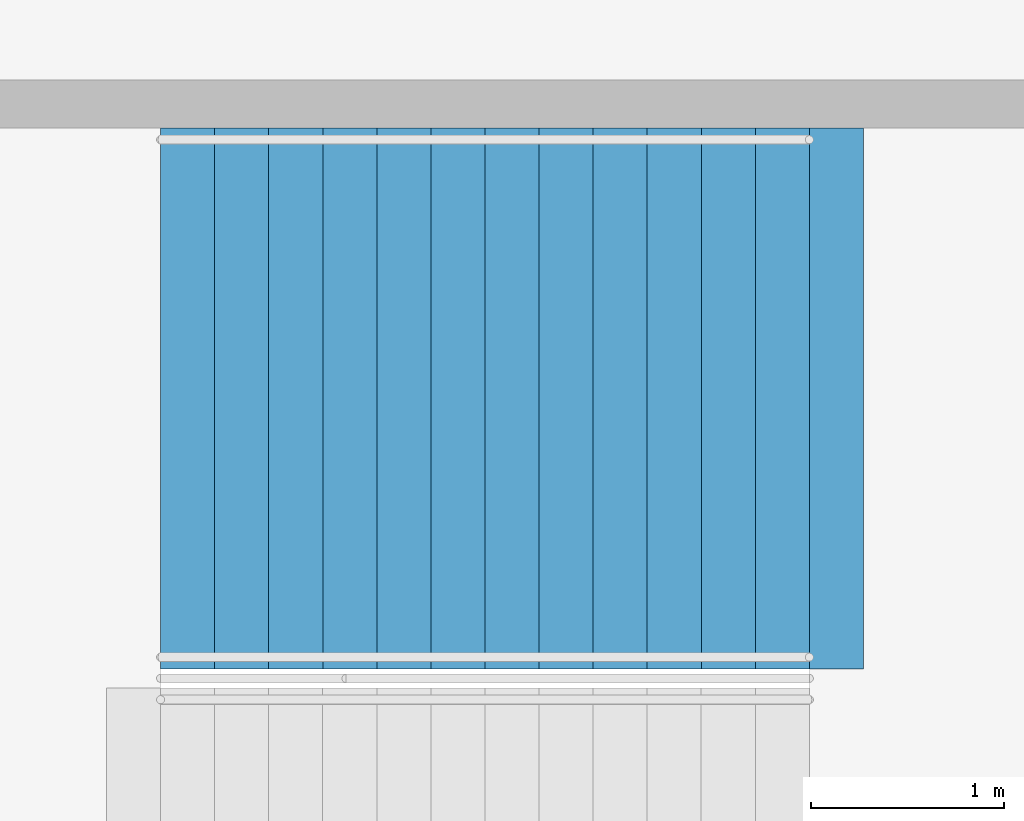
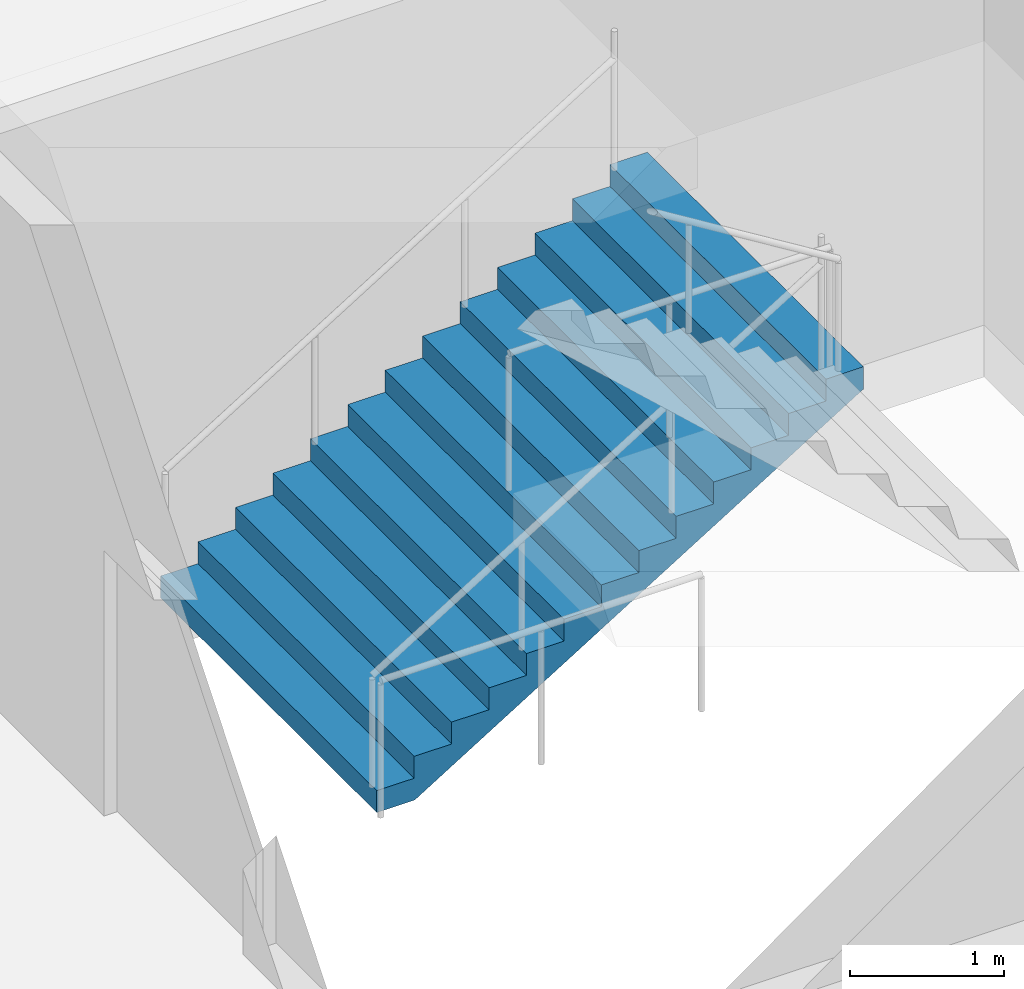
# One storey, part 178 of 249: 1 stair flight, 1 element without a shape of its own.
"""IFC4 building model written with IfcOpenShell, lengths in metres."""

from ifc_helpers import new_model, si_unit, direction, frame, origin, place, context, subcontext, project, spatial, faceted_brep, material, type_object, element, aggregate, save


model = new_model("IFC4")

# Units and contexts
model_context = context("Model", 3, precision=1e-05, world=origin(), true_north=direction((0.0, 1.0)))
body_context = subcontext(model_context, "Body", "Model", "MODEL_VIEW")
ifc_project = project(units=[si_unit("LENGTHUNIT", "METRE"), si_unit("AREAUNIT", "SQUARE_METRE"), si_unit("VOLUMEUNIT", "CUBIC_METRE"), si_unit("PLANEANGLEUNIT", "RADIAN"), si_unit("MASSUNIT", "GRAM", prefix="KILO")], contexts=[model_context])

# Site, building, storey
site_placement = place(None, origin())
site = spatial("IfcSite", under=ifc_project, at=site_placement, CompositionType="ELEMENT")
building_placement = place(site_placement, origin())
building = spatial("IfcBuilding", under=site, at=building_placement, Name="Ogive Plaza Stadium", CompositionType="ELEMENT")
storey_placement = place(building_placement, frame((0.0, 0.0, 13.5)))
storey = spatial("IfcBuildingStorey", under=building, at=storey_placement, Name="L03", CompositionType="ELEMENT", Elevation=13.5)

# Stair, stair flight
ifc_material_1 = material(Name="Concrete C40/50", Category="concrete")
stair_type = type_object("IfcStairType", Name="Exit stair", PredefinedType="STRAIGHT_RUN_STAIR", material=ifc_material_1)
stair_placement = place(storey_placement, origin())
stair = element("IfcStair", 1, at=stair_placement, inside=storey, type_object=stair_type, Name="Exit stair ST08B L03 to L04", PredefinedType="STRAIGHT_RUN_STAIR")
ifc_material_2 = material(Name="Concrete C40/50", Category="concrete")
stair_flight_type = type_object("IfcStairFlightType", Name="Exit stair flight", PredefinedType="STRAIGHT", material=ifc_material_2)
stair_flight_placement = place(storey_placement, frame((76.35009765625, -48.074951171875, 0.0), z_axis=(0.0, 0.0, 1.0), x_axis=(1.0, 0.0, 0.0)))
stair_flight = element("IfcStairFlight", 2, at=stair_flight_placement, type_object=stair_flight_type, Name="ST08B flight 1", NumberOfRisers=13, NumberOfTreads=12, PredefinedType="STRAIGHT", RiserHeight=0.173076923, TreadLength=0.28, context=body_context, shape_type="Brep", body=[
    faceted_brep([(0.28515625, -1.39990234375, 0.0), (3.639892578125, -1.39990234375, 2.07373046875), (3.639892578125, -1.39990234375, 2.25), (3.360107421875, -1.39990234375, 2.25), (3.360107421875, -1.39990234375, 2.076904296875), (3.080078125, -1.39990234375, 2.076904296875), (3.080078125, -1.39990234375, 1.90380859375), (2.800048828125, -1.39990234375, 1.90380859375), (2.800048828125, -1.39990234375, 1.730712890625), (2.52001953125, -1.39990234375, 1.730712890625), (2.52001953125, -1.39990234375, 1.5576171875), (2.239990234375, -1.39990234375, 1.5576171875), (2.239990234375, -1.39990234375, 1.384521484375), (1.9599609375, -1.39990234375, 1.384521484375), (1.9599609375, -1.39990234375, 1.21142578125), (1.679931640625, -1.39990234375, 1.21142578125), (1.679931640625, -1.39990234375, 1.03857421875), (1.39990234375, -1.39990234375, 1.03857421875), (1.39990234375, -1.39990234375, 0.865478515625), (1.1201171875, -1.39990234375, 0.865478515625), (1.1201171875, -1.39990234375, 0.6923828125), (0.840087890625, -1.39990234375, 0.6923828125), (0.840087890625, -1.39990234375, 0.519287109375), (0.56005859375, -1.39990234375, 0.519287109375), (0.56005859375, -1.39990234375, 0.34619140625), (0.280029296875, -1.39990234375, 0.34619140625), (0.280029296875, -1.39990234375, 0.173095703125), (0.0, -1.39990234375, 0.173095703125), (0.0, -1.39990234375, 0.0), (0.0, 1.39990234375, 0.0), (0.0, 1.39990234375, 0.173095703125), (0.280029296875, 1.39990234375, 0.173095703125), (0.280029296875, 1.39990234375, 0.34619140625), (0.56005859375, 1.39990234375, 0.34619140625), (0.56005859375, 1.39990234375, 0.519287109375), (0.840087890625, 1.39990234375, 0.519287109375), (0.840087890625, 1.39990234375, 0.6923828125), (1.1201171875, 1.39990234375, 0.6923828125), (1.1201171875, 1.39990234375, 0.865478515625), (1.39990234375, 1.39990234375, 0.865478515625), (1.39990234375, 1.39990234375, 1.03857421875), (1.679931640625, 1.39990234375, 1.03857421875), (1.679931640625, 1.39990234375, 1.21142578125), (1.9599609375, 1.39990234375, 1.21142578125), (1.9599609375, 1.39990234375, 1.384521484375), (2.239990234375, 1.39990234375, 1.384521484375), (2.239990234375, 1.39990234375, 1.5576171875), (2.52001953125, 1.39990234375, 1.5576171875), (2.52001953125, 1.39990234375, 1.730712890625), (2.800048828125, 1.39990234375, 1.730712890625), (2.800048828125, 1.39990234375, 1.90380859375), (3.080078125, 1.39990234375, 1.90380859375), (3.080078125, 1.39990234375, 2.076904296875), (3.360107421875, 1.39990234375, 2.076904296875), (3.360107421875, 1.39990234375, 2.25), (3.639892578125, 1.39990234375, 2.25), (3.639892578125, 1.39990234375, 2.07373046875), (0.28515625, 1.39990234375, 0.0), (0.28515625, -1.0888671875, 0.0), (3.639892578125, -1.0888671875, 2.07373046875), (0.28515625, -0.77783203125, 0.0), (3.639892578125, -0.77783203125, 2.07373046875), (0.28515625, -0.466796875, 0.0), (3.639892578125, -0.466796875, 2.07373046875), (0.28515625, -0.155517578125, 0.0), (3.639892578125, -0.155517578125, 2.07373046875), (0.28515625, 0.155517578125, 0.0), (3.639892578125, 0.155517578125, 2.07373046875), (0.28515625, 0.466796875, 0.0), (3.639892578125, 0.466796875, 2.07373046875), (0.28515625, 0.77783203125, 0.0), (3.639892578125, 0.77783203125, 2.07373046875), (0.28515625, 1.0888671875, 0.0), (3.639892578125, 1.0888671875, 2.07373046875), (3.639892578125, -1.0888671875, 2.25), (3.639892578125, -0.77783203125, 2.25), (3.639892578125, -0.466796875, 2.25), (3.639892578125, -0.155517578125, 2.25), (3.639892578125, 0.155517578125, 2.25), (3.639892578125, 0.466796875, 2.25), (3.639892578125, 0.77783203125, 2.25), (3.639892578125, 1.0888671875, 2.25), (3.360107421875, -1.0888671875, 2.25), (3.360107421875, -0.77783203125, 2.25), (3.360107421875, -0.466796875, 2.25), (3.360107421875, -0.155517578125, 2.25), (3.360107421875, 0.155517578125, 2.25), (3.360107421875, 0.466796875, 2.25), (3.360107421875, 0.77783203125, 2.25), (3.360107421875, 1.0888671875, 2.25), (3.360107421875, -1.0888671875, 2.076904296875), (3.360107421875, -0.77783203125, 2.076904296875), (3.360107421875, -0.466796875, 2.076904296875), (3.360107421875, -0.155517578125, 2.076904296875), (3.360107421875, 0.155517578125, 2.076904296875), (3.360107421875, 0.466796875, 2.076904296875), (3.360107421875, 0.77783203125, 2.076904296875), (3.360107421875, 1.0888671875, 2.076904296875), (3.080078125, -1.0888671875, 2.076904296875), (3.080078125, -0.77783203125, 2.076904296875), (3.080078125, -0.466796875, 2.076904296875), (3.080078125, -0.155517578125, 2.076904296875), (3.080078125, 0.155517578125, 2.076904296875), (3.080078125, 0.466796875, 2.076904296875), (3.080078125, 0.77783203125, 2.076904296875), (3.080078125, 1.0888671875, 2.076904296875), (3.080078125, -1.0888671875, 1.90380859375), (3.080078125, -0.77783203125, 1.90380859375), (3.080078125, -0.466796875, 1.90380859375), (3.080078125, -0.155517578125, 1.90380859375), (3.080078125, 0.155517578125, 1.90380859375), (3.080078125, 0.466796875, 1.90380859375), (3.080078125, 0.77783203125, 1.90380859375), (3.080078125, 1.0888671875, 1.90380859375), (2.800048828125, -1.0888671875, 1.90380859375), (2.800048828125, -0.77783203125, 1.90380859375), (2.800048828125, -0.466796875, 1.90380859375), (2.800048828125, -0.155517578125, 1.90380859375), (2.800048828125, 0.155517578125, 1.90380859375), (2.800048828125, 0.466796875, 1.90380859375), (2.800048828125, 0.77783203125, 1.90380859375), (2.800048828125, 1.0888671875, 1.90380859375), (2.800048828125, -1.0888671875, 1.730712890625), (2.800048828125, -0.77783203125, 1.730712890625), (2.800048828125, -0.466796875, 1.730712890625), (2.800048828125, -0.155517578125, 1.730712890625), (2.800048828125, 0.155517578125, 1.730712890625), (2.800048828125, 0.466796875, 1.730712890625), (2.800048828125, 0.77783203125, 1.730712890625), (2.800048828125, 1.0888671875, 1.730712890625), (2.52001953125, -1.0888671875, 1.730712890625), (2.52001953125, -0.77783203125, 1.730712890625), (2.52001953125, -0.466796875, 1.730712890625), (2.52001953125, -0.155517578125, 1.730712890625), (2.52001953125, 0.155517578125, 1.730712890625), (2.52001953125, 0.466796875, 1.730712890625), (2.52001953125, 0.77783203125, 1.730712890625), (2.52001953125, 1.0888671875, 1.730712890625), (2.52001953125, -1.0888671875, 1.5576171875), (2.52001953125, -0.77783203125, 1.5576171875), (2.52001953125, -0.466796875, 1.5576171875), (2.52001953125, -0.155517578125, 1.5576171875), (2.52001953125, 0.155517578125, 1.5576171875), (2.52001953125, 0.466796875, 1.5576171875), (2.52001953125, 0.77783203125, 1.5576171875), (2.52001953125, 1.0888671875, 1.5576171875), (2.239990234375, -1.0888671875, 1.5576171875), (2.239990234375, -0.77783203125, 1.5576171875), (2.239990234375, -0.466796875, 1.5576171875), (2.239990234375, -0.155517578125, 1.5576171875), (2.239990234375, 0.155517578125, 1.5576171875), (2.239990234375, 0.466796875, 1.5576171875), (2.239990234375, 0.77783203125, 1.5576171875), (2.239990234375, 1.0888671875, 1.5576171875), (2.239990234375, -1.0888671875, 1.384521484375), (2.239990234375, -0.77783203125, 1.384521484375), (2.239990234375, -0.466796875, 1.384521484375), (2.239990234375, -0.155517578125, 1.384521484375), (2.239990234375, 0.155517578125, 1.384521484375), (2.239990234375, 0.466796875, 1.384521484375), (2.239990234375, 0.77783203125, 1.384521484375), (2.239990234375, 1.0888671875, 1.384521484375), (1.9599609375, -1.0888671875, 1.384521484375), (1.9599609375, -0.77783203125, 1.384521484375), (1.9599609375, -0.466796875, 1.384521484375), (1.9599609375, -0.155517578125, 1.384521484375), (1.9599609375, 0.155517578125, 1.384521484375), (1.9599609375, 0.466796875, 1.384521484375), (1.9599609375, 0.77783203125, 1.384521484375), (1.9599609375, 1.0888671875, 1.384521484375), (1.9599609375, -1.0888671875, 1.21142578125), (1.9599609375, -0.77783203125, 1.21142578125), (1.9599609375, -0.466796875, 1.21142578125), (1.9599609375, -0.155517578125, 1.21142578125), (1.9599609375, 0.155517578125, 1.21142578125), (1.9599609375, 0.466796875, 1.21142578125), (1.9599609375, 0.77783203125, 1.21142578125), (1.9599609375, 1.0888671875, 1.21142578125), (1.679931640625, -1.0888671875, 1.21142578125), (1.679931640625, -0.77783203125, 1.21142578125), (1.679931640625, -0.466796875, 1.21142578125), (1.679931640625, -0.155517578125, 1.21142578125), (1.679931640625, 0.155517578125, 1.21142578125), (1.679931640625, 0.466796875, 1.21142578125), (1.679931640625, 0.77783203125, 1.21142578125), (1.679931640625, 1.0888671875, 1.21142578125), (1.679931640625, -1.0888671875, 1.03857421875), (1.679931640625, -0.77783203125, 1.03857421875), (1.679931640625, -0.466796875, 1.03857421875), (1.679931640625, -0.155517578125, 1.03857421875), (1.679931640625, 0.155517578125, 1.03857421875), (1.679931640625, 0.466796875, 1.03857421875), (1.679931640625, 0.77783203125, 1.03857421875), (1.679931640625, 1.0888671875, 1.03857421875), (1.39990234375, -1.0888671875, 1.03857421875), (1.39990234375, -0.77783203125, 1.03857421875), (1.39990234375, -0.466796875, 1.03857421875), (1.39990234375, -0.155517578125, 1.03857421875), (1.39990234375, 0.155517578125, 1.03857421875), (1.39990234375, 0.466796875, 1.03857421875), (1.39990234375, 0.77783203125, 1.03857421875), (1.39990234375, 1.0888671875, 1.03857421875), (1.39990234375, -1.0888671875, 0.865478515625), (1.39990234375, -0.77783203125, 0.865478515625), (1.39990234375, -0.466796875, 0.865478515625), (1.39990234375, -0.155517578125, 0.865478515625), (1.39990234375, 0.155517578125, 0.865478515625), (1.39990234375, 0.466796875, 0.865478515625), (1.39990234375, 0.77783203125, 0.865478515625), (1.39990234375, 1.0888671875, 0.865478515625), (1.1201171875, -1.0888671875, 0.865478515625), (1.1201171875, -0.77783203125, 0.865478515625), (1.1201171875, -0.466796875, 0.865478515625), (1.1201171875, -0.155517578125, 0.865478515625), (1.1201171875, 0.155517578125, 0.865478515625), (1.1201171875, 0.466796875, 0.865478515625), (1.1201171875, 0.77783203125, 0.865478515625), (1.1201171875, 1.0888671875, 0.865478515625), (1.1201171875, -1.0888671875, 0.6923828125), (1.1201171875, -0.77783203125, 0.6923828125), (1.1201171875, -0.466796875, 0.6923828125), (1.1201171875, -0.155517578125, 0.6923828125), (1.1201171875, 0.155517578125, 0.6923828125), (1.1201171875, 0.466796875, 0.6923828125), (1.1201171875, 0.77783203125, 0.6923828125), (1.1201171875, 1.0888671875, 0.6923828125), (0.840087890625, -1.0888671875, 0.6923828125), (0.840087890625, -0.77783203125, 0.6923828125), (0.840087890625, -0.466796875, 0.6923828125), (0.840087890625, -0.155517578125, 0.6923828125), (0.840087890625, 0.155517578125, 0.6923828125), (0.840087890625, 0.466796875, 0.6923828125), (0.840087890625, 0.77783203125, 0.6923828125), (0.840087890625, 1.0888671875, 0.6923828125), (0.840087890625, -1.0888671875, 0.519287109375), (0.840087890625, -0.77783203125, 0.519287109375), (0.840087890625, -0.466796875, 0.519287109375), (0.840087890625, -0.155517578125, 0.519287109375), (0.840087890625, 0.155517578125, 0.519287109375), (0.840087890625, 0.466796875, 0.519287109375), (0.840087890625, 0.77783203125, 0.519287109375), (0.840087890625, 1.0888671875, 0.519287109375), (0.56005859375, -1.0888671875, 0.519287109375), (0.56005859375, -0.77783203125, 0.519287109375), (0.56005859375, -0.466796875, 0.519287109375), (0.56005859375, -0.155517578125, 0.519287109375), (0.56005859375, 0.155517578125, 0.519287109375), (0.56005859375, 0.466796875, 0.519287109375), (0.56005859375, 0.77783203125, 0.519287109375), (0.56005859375, 1.0888671875, 0.519287109375), (0.56005859375, -1.0888671875, 0.34619140625), (0.56005859375, -0.77783203125, 0.34619140625), (0.56005859375, -0.466796875, 0.34619140625), (0.56005859375, -0.155517578125, 0.34619140625), (0.56005859375, 0.155517578125, 0.34619140625), (0.56005859375, 0.466796875, 0.34619140625), (0.56005859375, 0.77783203125, 0.34619140625), (0.56005859375, 1.0888671875, 0.34619140625), (0.280029296875, -1.0888671875, 0.34619140625), (0.280029296875, -0.77783203125, 0.34619140625), (0.280029296875, -0.466796875, 0.34619140625), (0.280029296875, -0.155517578125, 0.34619140625), (0.280029296875, 0.155517578125, 0.34619140625), (0.280029296875, 0.466796875, 0.34619140625), (0.280029296875, 0.77783203125, 0.34619140625), (0.280029296875, 1.0888671875, 0.34619140625), (0.280029296875, -1.0888671875, 0.173095703125), (0.280029296875, -0.77783203125, 0.173095703125), (0.280029296875, -0.466796875, 0.173095703125), (0.280029296875, -0.155517578125, 0.173095703125), (0.280029296875, 0.155517578125, 0.173095703125), (0.280029296875, 0.466796875, 0.173095703125), (0.280029296875, 0.77783203125, 0.173095703125), (0.280029296875, 1.0888671875, 0.173095703125), (0.0, -1.0888671875, 0.173095703125), (0.0, -0.77783203125, 0.173095703125), (0.0, -0.466796875, 0.173095703125), (0.0, -0.155517578125, 0.173095703125), (0.0, 0.155517578125, 0.173095703125), (0.0, 0.466796875, 0.173095703125), (0.0, 0.77783203125, 0.173095703125), (0.0, 1.0888671875, 0.173095703125), (0.0, -1.0888671875, 0.0), (0.0, -0.77783203125, 0.0), (0.0, -0.466796875, 0.0), (0.0, -0.155517578125, 0.0), (0.0, 0.155517578125, 0.0), (0.0, 0.466796875, 0.0), (0.0, 0.77783203125, 0.0), (0.0, 1.0888671875, 0.0)], [[[0, 1, 2, 3, 4, 5, 6, 7, 8, 9, 10, 11, 12, 13, 14, 15, 16, 17, 18, 19, 20, 21, 22, 23, 24, 25, 26, 27, 28]], [[29, 30, 31, 32, 33, 34, 35, 36, 37, 38, 39, 40, 41, 42, 43, 44, 45, 46, 47, 48, 49, 50, 51, 52, 53, 54, 55, 56, 57]], [[0, 58, 59, 1]], [[58, 60, 61, 59]], [[60, 62, 63, 61]], [[62, 64, 65, 63]], [[64, 66, 67, 65]], [[66, 68, 69, 67]], [[68, 70, 71, 69]], [[70, 72, 73, 71]], [[72, 57, 56, 73]], [[1, 59, 74, 2]], [[59, 61, 75, 74]], [[61, 63, 76, 75]], [[63, 65, 77, 76]], [[65, 67, 78, 77]], [[67, 69, 79, 78]], [[69, 71, 80, 79]], [[71, 73, 81, 80]], [[73, 56, 55, 81]], [[2, 74, 82, 3]], [[74, 75, 83, 82]], [[75, 76, 84, 83]], [[76, 77, 85, 84]], [[77, 78, 86, 85]], [[78, 79, 87, 86]], [[79, 80, 88, 87]], [[80, 81, 89, 88]], [[81, 55, 54, 89]], [[3, 82, 90, 4]], [[82, 83, 91, 90]], [[83, 84, 92, 91]], [[84, 85, 93, 92]], [[85, 86, 94, 93]], [[86, 87, 95, 94]], [[87, 88, 96, 95]], [[88, 89, 97, 96]], [[89, 54, 53, 97]], [[4, 90, 98, 5]], [[90, 91, 99, 98]], [[91, 92, 100, 99]], [[92, 93, 101, 100]], [[93, 94, 102, 101]], [[94, 95, 103, 102]], [[95, 96, 104, 103]], [[96, 97, 105, 104]], [[97, 53, 52, 105]], [[5, 98, 106, 6]], [[98, 99, 107, 106]], [[99, 100, 108, 107]], [[100, 101, 109, 108]], [[101, 102, 110, 109]], [[102, 103, 111, 110]], [[103, 104, 112, 111]], [[104, 105, 113, 112]], [[105, 52, 51, 113]], [[6, 106, 114, 7]], [[106, 107, 115, 114]], [[107, 108, 116, 115]], [[108, 109, 117, 116]], [[109, 110, 118, 117]], [[110, 111, 119, 118]], [[111, 112, 120, 119]], [[112, 113, 121, 120]], [[113, 51, 50, 121]], [[7, 114, 122, 8]], [[114, 115, 123, 122]], [[115, 116, 124, 123]], [[116, 117, 125, 124]], [[117, 118, 126, 125]], [[118, 119, 127, 126]], [[119, 120, 128, 127]], [[120, 121, 129, 128]], [[121, 50, 49, 129]], [[8, 122, 130, 9]], [[122, 123, 131, 130]], [[123, 124, 132, 131]], [[124, 125, 133, 132]], [[125, 126, 134, 133]], [[126, 127, 135, 134]], [[127, 128, 136, 135]], [[128, 129, 137, 136]], [[129, 49, 48, 137]], [[9, 130, 138, 10]], [[130, 131, 139, 138]], [[131, 132, 140, 139]], [[132, 133, 141, 140]], [[133, 134, 142, 141]], [[134, 135, 143, 142]], [[135, 136, 144, 143]], [[136, 137, 145, 144]], [[137, 48, 47, 145]], [[10, 138, 146, 11]], [[138, 139, 147, 146]], [[139, 140, 148, 147]], [[140, 141, 149, 148]], [[141, 142, 150, 149]], [[142, 143, 151, 150]], [[143, 144, 152, 151]], [[144, 145, 153, 152]], [[145, 47, 46, 153]], [[11, 146, 154, 12]], [[146, 147, 155, 154]], [[147, 148, 156, 155]], [[148, 149, 157, 156]], [[149, 150, 158, 157]], [[150, 151, 159, 158]], [[151, 152, 160, 159]], [[152, 153, 161, 160]], [[153, 46, 45, 161]], [[12, 154, 162, 13]], [[154, 155, 163, 162]], [[155, 156, 164, 163]], [[156, 157, 165, 164]], [[157, 158, 166, 165]], [[158, 159, 167, 166]], [[159, 160, 168, 167]], [[160, 161, 169, 168]], [[161, 45, 44, 169]], [[13, 162, 170, 14]], [[162, 163, 171, 170]], [[163, 164, 172, 171]], [[164, 165, 173, 172]], [[165, 166, 174, 173]], [[166, 167, 175, 174]], [[167, 168, 176, 175]], [[168, 169, 177, 176]], [[169, 44, 43, 177]], [[14, 170, 178, 15]], [[170, 171, 179, 178]], [[171, 172, 180, 179]], [[172, 173, 181, 180]], [[173, 174, 182, 181]], [[174, 175, 183, 182]], [[175, 176, 184, 183]], [[176, 177, 185, 184]], [[177, 43, 42, 185]], [[15, 178, 186, 16]], [[178, 179, 187, 186]], [[179, 180, 188, 187]], [[180, 181, 189, 188]], [[181, 182, 190, 189]], [[182, 183, 191, 190]], [[183, 184, 192, 191]], [[184, 185, 193, 192]], [[185, 42, 41, 193]], [[16, 186, 194, 17]], [[186, 187, 195, 194]], [[187, 188, 196, 195]], [[188, 189, 197, 196]], [[189, 190, 198, 197]], [[190, 191, 199, 198]], [[191, 192, 200, 199]], [[192, 193, 201, 200]], [[193, 41, 40, 201]], [[17, 194, 202, 18]], [[194, 195, 203, 202]], [[195, 196, 204, 203]], [[196, 197, 205, 204]], [[197, 198, 206, 205]], [[198, 199, 207, 206]], [[199, 200, 208, 207]], [[200, 201, 209, 208]], [[201, 40, 39, 209]], [[18, 202, 210, 19]], [[202, 203, 211, 210]], [[203, 204, 212, 211]], [[204, 205, 213, 212]], [[205, 206, 214, 213]], [[206, 207, 215, 214]], [[207, 208, 216, 215]], [[208, 209, 217, 216]], [[209, 39, 38, 217]], [[19, 210, 218, 20]], [[210, 211, 219, 218]], [[211, 212, 220, 219]], [[212, 213, 221, 220]], [[213, 214, 222, 221]], [[214, 215, 223, 222]], [[215, 216, 224, 223]], [[216, 217, 225, 224]], [[217, 38, 37, 225]], [[20, 218, 226, 21]], [[218, 219, 227, 226]], [[219, 220, 228, 227]], [[220, 221, 229, 228]], [[221, 222, 230, 229]], [[222, 223, 231, 230]], [[223, 224, 232, 231]], [[224, 225, 233, 232]], [[225, 37, 36, 233]], [[21, 226, 234, 22]], [[226, 227, 235, 234]], [[227, 228, 236, 235]], [[228, 229, 237, 236]], [[229, 230, 238, 237]], [[230, 231, 239, 238]], [[231, 232, 240, 239]], [[232, 233, 241, 240]], [[233, 36, 35, 241]], [[22, 234, 242, 23]], [[234, 235, 243, 242]], [[235, 236, 244, 243]], [[236, 237, 245, 244]], [[237, 238, 246, 245]], [[238, 239, 247, 246]], [[239, 240, 248, 247]], [[240, 241, 249, 248]], [[241, 35, 34, 249]], [[23, 242, 250, 24]], [[242, 243, 251, 250]], [[243, 244, 252, 251]], [[244, 245, 253, 252]], [[245, 246, 254, 253]], [[246, 247, 255, 254]], [[247, 248, 256, 255]], [[248, 249, 257, 256]], [[249, 34, 33, 257]], [[24, 250, 258, 25]], [[250, 251, 259, 258]], [[251, 252, 260, 259]], [[252, 253, 261, 260]], [[253, 254, 262, 261]], [[254, 255, 263, 262]], [[255, 256, 264, 263]], [[256, 257, 265, 264]], [[257, 33, 32, 265]], [[25, 258, 266, 26]], [[258, 259, 267, 266]], [[259, 260, 268, 267]], [[260, 261, 269, 268]], [[261, 262, 270, 269]], [[262, 263, 271, 270]], [[263, 264, 272, 271]], [[264, 265, 273, 272]], [[265, 32, 31, 273]], [[26, 266, 274, 27]], [[266, 267, 275, 274]], [[267, 268, 276, 275]], [[268, 269, 277, 276]], [[269, 270, 278, 277]], [[270, 271, 279, 278]], [[271, 272, 280, 279]], [[272, 273, 281, 280]], [[273, 31, 30, 281]], [[27, 274, 282, 28]], [[274, 275, 283, 282]], [[275, 276, 284, 283]], [[276, 277, 285, 284]], [[277, 278, 286, 285]], [[278, 279, 287, 286]], [[279, 280, 288, 287]], [[280, 281, 289, 288]], [[281, 30, 29, 289]], [[28, 282, 58, 0]], [[282, 283, 60, 58]], [[283, 284, 62, 60]], [[284, 285, 64, 62]], [[285, 286, 66, 64]], [[286, 287, 68, 66]], [[287, 288, 70, 68]], [[288, 289, 72, 70]], [[289, 29, 57, 72]]]),
])
aggregate(stair, [stair_flight])

save(model, "model.ifc")
